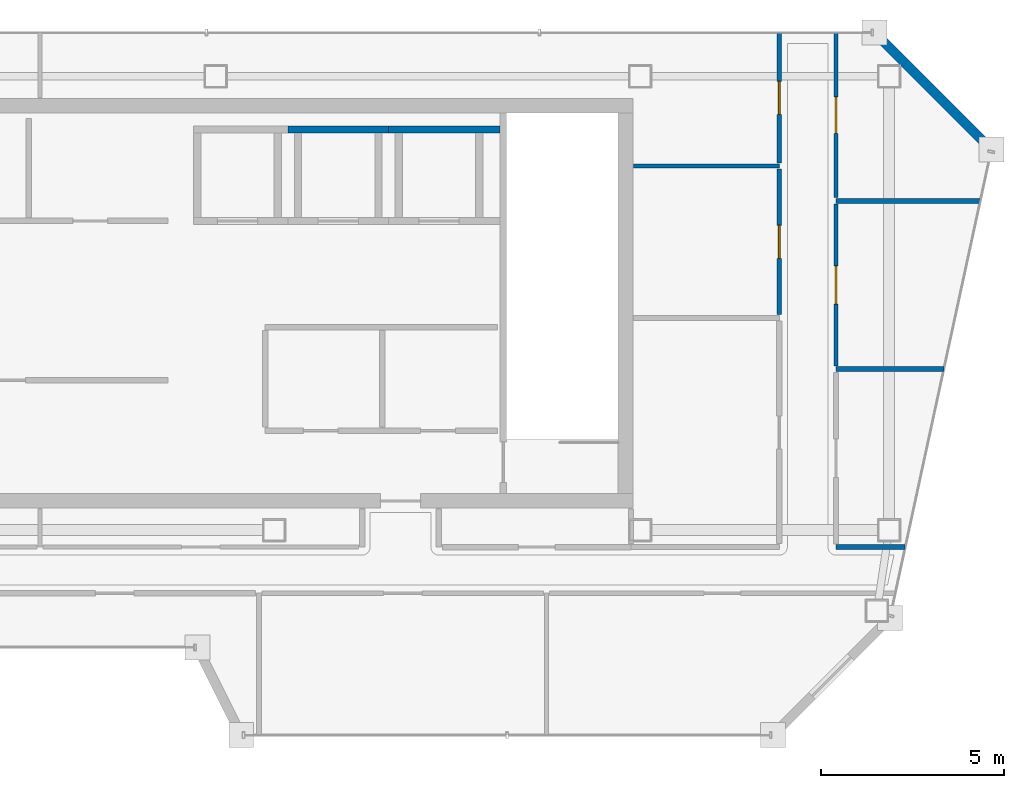
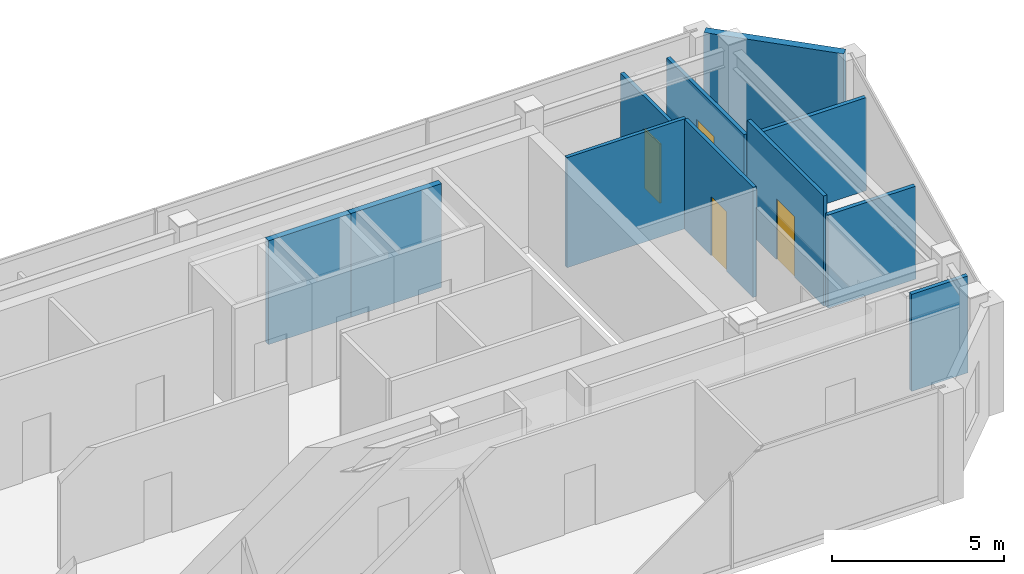
# One storey, part 16 of 17: 11 walls, 4 doors, 4 openings.
"""IFC4 building model written with IfcOpenShell, lengths in metres."""

from ifc_helpers import new_model, si_unit, direction, frame, frame_2d, origin, place, context, subcontext, project, spatial, rectangle, extrude, material, layer, layer_set, type_object, element, fill, save


model = new_model("IFC4")

# Units and contexts
model_context = context("Model", 3, precision=1e-05, world=origin(), true_north=direction((0.0, 1.0)))
body_context = subcontext(model_context, "Body", "Model", "MODEL_VIEW")
ifc_project = project(units=[si_unit("LENGTHUNIT", "METRE"), si_unit("AREAUNIT", "SQUARE_METRE"), si_unit("VOLUMEUNIT", "CUBIC_METRE"), si_unit("PLANEANGLEUNIT", "RADIAN"), si_unit("MASSUNIT", "GRAM", prefix="KILO")], contexts=[model_context])

# Site, building, storey
site_placement = place(None, origin())
site = spatial("IfcSite", under=ifc_project, at=site_placement, CompositionType="ELEMENT")
building_placement = place(site_placement, origin())
building = spatial("IfcBuilding", under=site, at=building_placement, Name="Saevonmaru Cultural Tower", CompositionType="ELEMENT")
storey_placement = place(building_placement, frame((0.0, 0.0, 323.39990234375)))
storey = spatial("IfcBuildingStorey", under=building, at=storey_placement, Name="L77", CompositionType="ELEMENT", Elevation=323.39990234375)

# Walls
ifc_material_1 = material(Name="Granite-Clad Precast Concrete C40/50", Category="masonry")
ifc_layer_1 = layer(ifc_material_1, 0.260009765625, Name="Granite-Clad Precast Concrete C40/50")
ifc_layer_set_1 = layer_set([ifc_layer_1], Name="Granite-Clad Precast Concrete C40/50")
wall_type_1 = type_object("IfcWallType", Name="WL-EXT-SPANDREL-260", PredefinedType="STANDARD", material=ifc_layer_set_1)
wall_1_placement = place(storey_placement, frame((55.886962890625, 52.9130859375, 0.0), z_axis=(0.0, 0.0, 1.0), x_axis=(-0.707106781187, 0.707106781187, 0.0)))
element("IfcWall", 1, at=wall_1_placement, inside=storey, type_object=wall_type_1, Name="L77 Chamfer Corner Spandrel Wall E9", PredefinedType="STANDARD", context=body_context, shape_type="SweptSolid", body=[
    extrude(rectangle(XDim=4.205810546875, YDim=0.260009765625, at=frame_2d((2.10302734375, 0.0))), origin(), (0.0, 0.0, 1.0), 3.900146484375),
])
ifc_material_2 = material(Name="Gypsum Fireboard Partition", Category="gypsum")
ifc_layer_2 = layer(ifc_material_2, 0.1201171875, Name="Gypsum Fireboard Partition")
ifc_layer_set_2 = layer_set([ifc_layer_2], Name="Gypsum Fireboard Partition")
wall_type_2 = type_object("IfcWallType", Name="WL-PART-GYP-120", PredefinedType="PARTITIONING", material=ifc_layer_set_2)
wall_2_placement = place(storey_placement, frame((46.219970703125, 52.35009765625, 0.0), z_axis=(0.0, 0.0, 1.0), x_axis=(1.0, 0.0, 0.0)))
element("IfcWall", 2, at=wall_2_placement, inside=storey, type_object=wall_type_2, Name="L77 North-East Panorama South Wall", PredefinedType="PARTITIONING", context=body_context, shape_type="SweptSolid", body=[
    extrude(rectangle(XDim=3.97998046875, YDim=0.1201171875, at=frame_2d((1.989990234375, 0.0))), origin(), (0.0, 0.0, 1.0), 3.900146484375),
])

# Wall, opening, door
wall_3_placement = place(storey_placement, frame((50.199951171875, 48.2900390625, 0.0), z_axis=(0.0, 0.0, 1.0), x_axis=(0.0, 1.0, 0.0)))
wall_3 = element("IfcWall", 3, at=wall_3_placement, inside=storey, type_object=wall_type_2, Name="L77 Digital Media Classroom Corridor Wall", PredefinedType="PARTITIONING", context=body_context, shape_type="SweptSolid", body=[
    extrude(rectangle(XDim=3.97998046875, YDim=0.1201171875, at=frame_2d((1.989990234375, 0.0))), origin(), (0.0, 0.0, 1.0), 3.900146484375),
])
opening_1_placement = place(wall_3_placement, frame((1.5400390625, 0.0, 0.0)))
opening_1 = element("IfcOpeningElement", 4, at=opening_1_placement, cuts=wall_3, Name="Opening ID-2", PredefinedType="OPENING", context=body_context, shape_type="SweptSolid", body=[
    extrude(rectangle(XDim=0.89990234375, YDim=2.10009765625, at=frame_2d((0.449951171875, 1.050048828125))), frame((0.0, 0.070068359375, 0.0), z_axis=(0.0, -1.0, 0.0), x_axis=(1.0, 0.0, 0.0)), (0.0, 0.0, 1.0), 0.14013671875),
])
ifc_material_3 = material(Name="Acoustic Stained Oak Timber", Category="wood")
door_type_1 = type_object("IfcDoorType", Name="DR-INT-900", OperationType="SINGLE_SWING_RIGHT", PredefinedType="DOOR", material=ifc_material_3)
door_1_placement = place(opening_1_placement, origin())
door_1 = element("IfcDoor", 5, at=door_1_placement, inside=storey, type_object=door_type_1, Name="L77 Digital Media Classroom Door", OperationType="SINGLE_SWING_LEFT", OverallHeight=2.10009765625, OverallWidth=0.89990234375, PredefinedType="DOOR", context=body_context, shape_type="SweptSolid", body=[
    extrude(rectangle(XDim=0.89990234375, YDim=2.10009765625, at=frame_2d((0.449951171875, 1.050048828125))), frame((0.0, 0.02490234375, 0.0), z_axis=(0.0, -1.0, 0.0), x_axis=(1.0, 0.0, 0.0)), (0.0, 0.0, 1.0), 0.050048828125),
])
fill(opening_1, door_1)

wall_4_placement = place(storey_placement, frame((50.199951171875, 52.429931640625, 0.0), z_axis=(0.0, 0.0, 1.0), x_axis=(0.0, 1.0, 0.0)))
wall_4 = element("IfcWall", 6, at=wall_4_placement, inside=storey, type_object=wall_type_2, Name="L77 Design Seminar Classroom Corridor Wall", PredefinedType="PARTITIONING", context=body_context, shape_type="SweptSolid", body=[
    extrude(rectangle(XDim=3.565185546875, YDim=0.1201171875, at=frame_2d((1.78271484375, 0.0))), origin(), (0.0, 0.0, 1.0), 3.28515625),
])
opening_2_placement = place(wall_4_placement, frame((1.33203125, 0.0, 0.0)))
opening_2 = element("IfcOpeningElement", 7, at=opening_2_placement, cuts=wall_4, Name="Opening ID-2", PredefinedType="OPENING", context=body_context, shape_type="SweptSolid", body=[
    extrude(rectangle(XDim=0.89990234375, YDim=2.10009765625, at=frame_2d((0.449951171875, 1.050048828125))), frame((0.0, 0.070068359375, 0.0), z_axis=(0.0, -1.0, 0.0), x_axis=(1.0, 0.0, 0.0)), (0.0, 0.0, 1.0), 0.14013671875),
])
door_2_placement = place(opening_2_placement, origin())
door_2 = element("IfcDoor", 8, at=door_2_placement, inside=storey, type_object=door_type_1, Name="L77 Design Seminar Classroom Door", OperationType="SINGLE_SWING_RIGHT", OverallHeight=2.10009765625, OverallWidth=0.89990234375, PredefinedType="DOOR", context=body_context, shape_type="SweptSolid", body=[
    extrude(rectangle(XDim=0.89990234375, YDim=2.10009765625, at=frame_2d((0.449951171875, 1.050048828125))), frame((0.0, 0.02490234375, 0.0), z_axis=(0.0, -1.0, 0.0), x_axis=(1.0, 0.0, 0.0)), (0.0, 0.0, 1.0), 0.050048828125),
])
fill(opening_2, door_2)

wall_5_placement = place(storey_placement, frame((51.75, 46.887451171875, 0.0), z_axis=(0.0, 0.0, 1.0), x_axis=(0.0, 1.0, 0.0)))
wall_5 = element("IfcWall", 9, at=wall_5_placement, inside=storey, type_object=wall_type_2, Name="L77 Cartographic Study Library Corridor Wall", PredefinedType="PARTITIONING", context=body_context, shape_type="SweptSolid", body=[
    extrude(rectangle(XDim=4.425048828125, YDim=0.1201171875, at=frame_2d((2.21240234375, 0.0))), origin(), (0.0, 0.0, 1.0), 3.900146484375),
])
opening_3_placement = place(wall_5_placement, frame((1.68701171875, 0.0, 0.0)))
opening_3 = element("IfcOpeningElement", 10, at=opening_3_placement, cuts=wall_5, Name="Opening ID-1", PredefinedType="OPENING", context=body_context, shape_type="SweptSolid", body=[
    extrude(rectangle(XDim=1.050048828125, YDim=2.14990234375, at=frame_2d((0.52490234375, 1.074951171875))), frame((0.0, 0.070068359375, 0.0), z_axis=(0.0, -1.0, 0.0), x_axis=(1.0, 0.0, 0.0)), (0.0, 0.0, 1.0), 0.14013671875),
])
ifc_material_4 = material(Name="Satin Bronze Anodised Aluminium", Category="aluminium")
door_type_2 = type_object("IfcDoorType", Name="DR-INT-1050", OperationType="SINGLE_SWING_LEFT", PredefinedType="DOOR", material=ifc_material_4)
door_3_placement = place(opening_3_placement, origin())
door_3 = element("IfcDoor", 11, at=door_3_placement, inside=storey, type_object=door_type_2, Name="L77 Cartographic Study Library Door", OperationType="SINGLE_SWING_LEFT", OverallHeight=2.14990234375, OverallWidth=1.050048828125, PredefinedType="DOOR", context=body_context, shape_type="SweptSolid", body=[
    extrude(rectangle(XDim=1.050048828125, YDim=2.14990234375, at=frame_2d((0.52490234375, 1.074951171875))), frame((0.0, 0.02490234375, 0.0), z_axis=(0.0, -1.0, 0.0), x_axis=(1.0, 0.0, 0.0)), (0.0, 0.0, 1.0), 0.050048828125),
])
fill(opening_3, door_3)

wall_6_placement = place(storey_placement, frame((51.75, 51.487548828125, 0.0), z_axis=(0.0, 0.0, 1.0), x_axis=(0.0, 1.0, 0.0)))
wall_6 = element("IfcWall", 12, at=wall_6_placement, inside=storey, type_object=wall_type_2, Name="L77 Panoramic Salon Restaurant Corridor Wall", PredefinedType="PARTITIONING", context=body_context, shape_type="SweptSolid", body=[
    extrude(rectangle(XDim=4.507568359375, YDim=0.1201171875, at=frame_2d((2.25390625, 0.0))), origin(), (0.0, 0.0, 1.0), 3.28515625),
])
opening_4_placement = place(wall_6_placement, frame((1.75390625, 0.0, 0.0)))
opening_4 = element("IfcOpeningElement", 13, at=opening_4_placement, cuts=wall_6, Name="Opening ID-1B", PredefinedType="OPENING", context=body_context, shape_type="SweptSolid", body=[
    extrude(rectangle(XDim=1.0, YDim=2.14990234375, at=frame_2d((0.5, 1.074951171875))), frame((0.0, 0.070068359375, 0.0), z_axis=(0.0, -1.0, 0.0), x_axis=(1.0, 0.0, 0.0)), (0.0, 0.0, 1.0), 0.14013671875),
])
door_type_3 = type_object("IfcDoorType", Name="DR-INT-1000", OperationType="SINGLE_SWING_RIGHT", PredefinedType="DOOR", material=ifc_material_3)
door_4_placement = place(opening_4_placement, origin())
door_4 = element("IfcDoor", 14, at=door_4_placement, inside=storey, type_object=door_type_3, Name="L77 Panoramic Salon Restaurant Door", OperationType="SINGLE_SWING_RIGHT", OverallHeight=2.14990234375, OverallWidth=1.0, PredefinedType="DOOR", context=body_context, shape_type="SweptSolid", body=[
    extrude(rectangle(XDim=1.0, YDim=2.14990234375, at=frame_2d((0.5, 1.074951171875))), frame((0.0, 0.02490234375, 0.0), z_axis=(0.0, -1.0, 0.0), x_axis=(1.0, 0.0, 0.0)), (0.0, 0.0, 1.0), 0.050048828125),
])
fill(opening_4, door_4)

# Walls
ifc_layer_3 = layer(ifc_material_2, 0.135009765625, Name="Gypsum Fireboard Partition")
ifc_layer_set_3 = layer_set([ifc_layer_3], Name="Gypsum Fireboard Partition")
wall_type_3 = type_object("IfcWallType", Name="WL-PART-GYP-135", PredefinedType="PARTITIONING", material=ifc_layer_set_3)
wall_7_placement = place(storey_placement, frame((51.75, 41.93994140625, 0.0), z_axis=(0.0, 0.0, 1.0), x_axis=(1.0, 0.0, 0.0)))
element("IfcWall", 15, at=wall_7_placement, inside=storey, type_object=wall_type_3, Name="L77 NE Wing South Wall", PredefinedType="PARTITIONING", context=body_context, shape_type="SweptSolid", body=[
    extrude(rectangle(XDim=1.891845703125, YDim=0.135009765625, at=frame_2d((0.94580078125, 0.0))), origin(), (0.0, 0.0, 1.0), 3.43505859375),
])
wall_8_placement = place(storey_placement, frame((51.75, 46.800048828125, 0.0), z_axis=(0.0, 0.0, 1.0), x_axis=(1.0, 0.0, 0.0)))
element("IfcWall", 16, at=wall_8_placement, inside=storey, type_object=wall_type_3, Name="L77 NE Studio Divider 1", PredefinedType="PARTITIONING", context=body_context, shape_type="SweptSolid", body=[
    extrude(rectangle(XDim=2.94482421875, YDim=0.135009765625, at=frame_2d((1.472412109375, 0.0))), origin(), (0.0, 0.0, 1.0), 3.297119140625),
])
wall_9_placement = place(storey_placement, frame((51.75, 51.39990234375, 0.0), z_axis=(0.0, 0.0, 1.0), x_axis=(1.0, 0.0, 0.0)))
element("IfcWall", 17, at=wall_9_placement, inside=storey, type_object=wall_type_3, Name="L77 NE Studio Divider 2", PredefinedType="PARTITIONING", context=body_context, shape_type="SweptSolid", body=[
    extrude(rectangle(XDim=3.941650390625, YDim=0.135009765625, at=frame_2d((1.970703125, 0.0))), origin(), (0.0, 0.0, 1.0), 3.297119140625),
])
ifc_material_5 = material(Name="Concrete C40/50", Category="concrete")
ifc_layer_4 = layer(ifc_material_5, 0.199951171875, Name="Concrete C40/50")
ifc_layer_set_4 = layer_set([ifc_layer_4], Name="Concrete C40/50")
wall_type_4 = type_object("IfcWallType", Name="WL-SHAFT-200", PredefinedType="SHEAR", material=ifc_layer_set_4)
wall_10_placement = place(storey_placement, frame((36.77490234375, 53.35009765625, 0.0), z_axis=(0.0, 0.0, 1.0), x_axis=(1.0, 0.0, 0.0)))
element("IfcWall", 18, at=wall_10_placement, inside=storey, type_object=wall_type_4, Name="L77 Lift PL-H2 Hoistway Wall N", PredefinedType="SHEAR", context=body_context, shape_type="SweptSolid", body=[
    extrude(rectangle(XDim=2.75, YDim=0.199951171875, at=frame_2d((1.375, 0.0))), origin(), (0.0, 0.0, 1.0), 3.68017578125),
])
wall_11_placement = place(storey_placement, frame((39.52490234375, 53.35009765625, 0.0), z_axis=(0.0, 0.0, 1.0), x_axis=(1.0, 0.0, 0.0)))
element("IfcWall", 19, at=wall_11_placement, inside=storey, type_object=wall_type_4, Name="L77 Lift PL-H3 Hoistway Wall N", PredefinedType="SHEAR", context=body_context, shape_type="SweptSolid", body=[
    extrude(rectangle(XDim=3.045166015625, YDim=0.199951171875, at=frame_2d((1.5224609375, 0.0))), origin(), (0.0, 0.0, 1.0), 3.68017578125),
])

save(model, "model.ifc")
